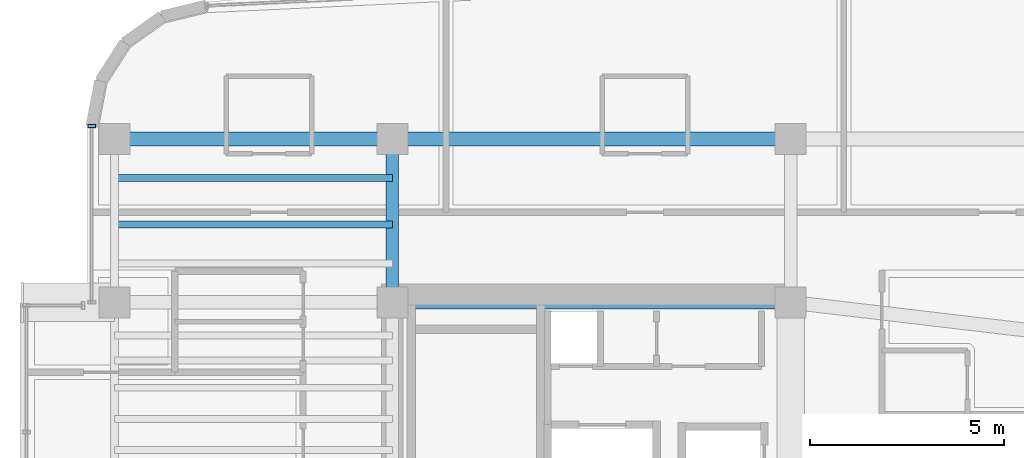
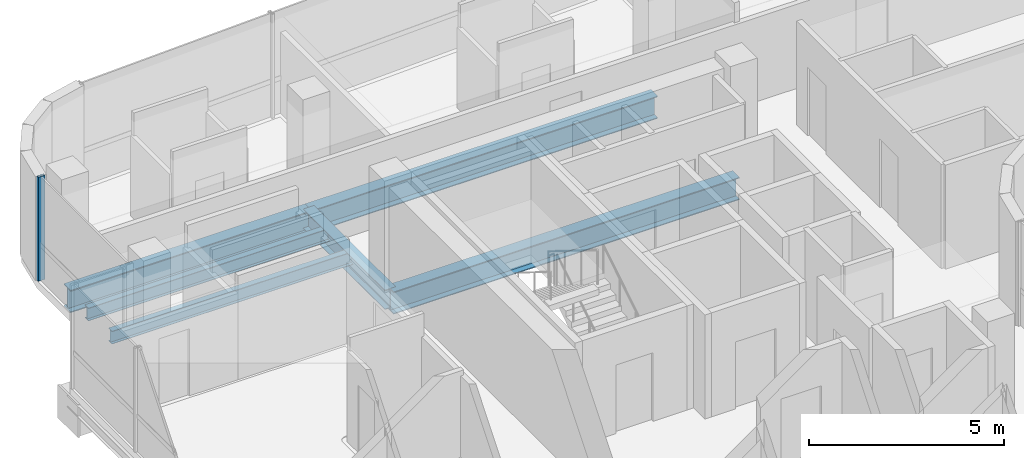
# One storey, part 7 of 20: 6 beams, 1 member, 1 element without a shape of its own.
"""IFC4 building model written with IfcOpenShell, lengths in metres."""

from ifc_helpers import new_model, si_unit, direction, frame, origin, origin_2d, place, context, subcontext, project, spatial, hollow_rectangle, i_section, extrude, source, transform, mapped, material, material_profile, profile_set, type_object, element, aggregate, save


model = new_model("IFC4")

# Units and contexts
model_context = context("Model", 3, precision=1e-05, world=origin(), true_north=direction((0.0, 1.0)))
body_context = subcontext(model_context, "Body", "Model", "MODEL_VIEW")
ifc_project = project(units=[si_unit("LENGTHUNIT", "METRE"), si_unit("AREAUNIT", "SQUARE_METRE"), si_unit("VOLUMEUNIT", "CUBIC_METRE"), si_unit("PLANEANGLEUNIT", "RADIAN"), si_unit("MASSUNIT", "GRAM", prefix="KILO")], contexts=[model_context])

# Site, building, storey
site_placement = place(None, origin())
site = spatial("IfcSite", under=ifc_project, at=site_placement, CompositionType="ELEMENT")
building_placement = place(site_placement, origin())
building = spatial("IfcBuilding", under=site, at=building_placement, Name="Valdorenza Pilgrim Sanctuary Tower", CompositionType="ELEMENT")
storey_placement = place(building_placement, frame((0.0, 0.0, 240.5)))
storey = spatial("IfcBuildingStorey", under=building, at=storey_placement, Name="L62", CompositionType="ELEMENT", Elevation=240.5)

# Beams
ifc_material_1 = material(Name="Steel ASTM A992 Grade 50", Category="steel")
ifc_material_profile_1 = material_profile(ifc_material_1, i_section(OverallWidth=0.323974609375, OverallDepth=0.611083984375, WebThickness=0.0126953125, FlangeThickness=0.01904296875, at=origin_2d()), Name="W24X104")
ifc_profile_set_1 = profile_set([ifc_material_profile_1], Name="Steel ASTM A992 Grade 50")
beam_type_1 = type_object("IfcBeamType", Name="STR-BM-GRD-W24B", PredefinedType="BEAM", material=ifc_profile_set_1)
shared_shape_1 = source(origin(), body_context, "Body", "SweptSolid", [
    extrude(i_section(OverallWidth=0.323974609375, OverallDepth=0.611083984375, WebThickness=0.0126953125, FlangeThickness=0.01904296875, at=origin_2d()), origin(), (0.0, 0.0, 1.0), 4.199951171875),
])
beam_1_placement = place(storey_placement, frame((-22.64990234375, 10.60009765625, -0.54541015625), z_axis=(0.0, 1.0, 0.0), x_axis=(-1.0, 0.0, 0.0)))
element("IfcBeam", 1, at=beam_1_placement, inside=storey, type_object=beam_type_1, Name="L62 Core Tie Girder CA-W-N1N2", PredefinedType="BEAM", context=body_context, shape_type="MappedRepresentation", body=[
    mapped(shared_shape_1, transform((0.0, 0.0, 0.0), x_axis=(1.0, 0.0, 0.0), y_axis=(0.0, 1.0, 0.0), z_axis=(0.0, 0.0, 1.0), scale=1.0)),
])
ifc_material_profile_2 = material_profile(ifc_material_1, i_section(OverallWidth=0.35595703125, OverallDepth=0.700927734375, WebThickness=0.016845703125, FlangeThickness=0.02734375, at=origin_2d()), Name="W27X161")
ifc_profile_set_2 = profile_set([ifc_material_profile_2], Name="Steel ASTM A992 Grade 50")
beam_type_2 = type_object("IfcBeamType", Name="STR-BM-GRD-W27", PredefinedType="BEAM", material=ifc_profile_set_2)
shared_shape_2 = source(origin(), body_context, "Body", "SweptSolid", [
    extrude(i_section(OverallWidth=0.35595703125, OverallDepth=0.700927734375, WebThickness=0.016845703125, FlangeThickness=0.02734375, at=origin_2d()), origin(), (0.0, 0.0, 1.0), 7.150146484375),
])
beam_2_placement = place(storey_placement, frame((-29.800048828125, 14.800048828125, -0.590576171875), z_axis=(1.0, 0.0, 0.0), x_axis=(0.0, 1.0, 0.0)))
element("IfcBeam", 2, at=beam_2_placement, inside=storey, type_object=beam_type_2, Name="L62 Floor Girder WA-XW-N2", PredefinedType="BEAM", context=body_context, shape_type="MappedRepresentation", body=[
    mapped(shared_shape_2, transform((0.0, 0.0, 0.0), x_axis=(1.0, 0.0, 0.0), y_axis=(0.0, 1.0, 0.0), z_axis=(0.0, 0.0, 1.0), scale=1.0)),
])
shared_shape_3 = source(origin(), body_context, "Body", "SweptSolid", [
    extrude(i_section(OverallWidth=0.35595703125, OverallDepth=0.700927734375, WebThickness=0.016845703125, FlangeThickness=0.02734375, at=origin_2d()), origin(), (0.0, 0.0, 1.0), 10.25),
])
for number, where, z_axis, x_axis, name in (
    (3, (-22.64990234375, 10.60009765625, -0.590576171875), (1.0, 0.0, 0.0), (0.0, 1.0, 0.0), "L62 Floor Girder CA-XC-N1"),
    (4, (-22.64990234375, 14.800048828125, -0.590576171875), (1.0, 0.0, 0.0), (0.0, 1.0, 0.0), "L62 Floor Girder CA-XC-N2"),
):
    element("IfcBeam", number, at=place(storey_placement, frame(where, z_axis=z_axis, x_axis=x_axis)), inside=storey, type_object=beam_type_2, Name=name, PredefinedType="BEAM", context=body_context, shape_type="MappedRepresentation", body=[
        mapped(shared_shape_3, transform((0.0, 0.0, 0.0), x_axis=(1.0, 0.0, 0.0), y_axis=(0.0, 1.0, 0.0), z_axis=(0.0, 0.0, 1.0), scale=1.0)),
    ])
ifc_material_profile_3 = material_profile(ifc_material_1, i_section(OverallWidth=0.177978515625, OverallDepth=0.406005859375, WebThickness=0.0078125, FlangeThickness=0.0126953125, at=origin_2d()), Name="W16X40")
ifc_profile_set_3 = profile_set([ifc_material_profile_3], Name="Steel ASTM A992 Grade 50")
beam_type_3 = type_object("IfcBeamType", Name="STR-BM-JST-W16", PredefinedType="JOIST", material=ifc_profile_set_3)
shared_shape_4 = source(origin(), body_context, "Body", "SweptSolid", [
    extrude(i_section(OverallWidth=0.177978515625, OverallDepth=0.406005859375, WebThickness=0.0078125, FlangeThickness=0.0126953125, at=origin_2d()), origin(), (0.0, 0.0, 1.0), 7.150146484375),
])
for number, where, z_axis, x_axis, name in (
    (5, (-29.800048828125, 12.60009765625, -0.443115234375), (1.0, 0.0, 0.0), (0.0, 1.0, 0.0), "L62 Composite Floor Joist JST-WA-25"),
    (6, (-29.800048828125, 13.800048828125, -0.443115234375), (1.0, 0.0, 0.0), (0.0, 1.0, 0.0), "L62 Composite Floor Joist JST-WA-26"),
):
    element("IfcBeam", number, at=place(storey_placement, frame(where, z_axis=z_axis, x_axis=x_axis)), inside=storey, type_object=beam_type_3, Name=name, PredefinedType="JOIST", context=body_context, shape_type="MappedRepresentation", body=[
        mapped(shared_shape_4, transform((0.0, 0.0, 0.0), x_axis=(1.0, 0.0, 0.0), y_axis=(0.0, 1.0, 0.0), z_axis=(0.0, 0.0, 1.0), scale=1.0)),
    ])

# Curtain wall, member
ifc_material_2 = material(Name="Curtain-wall IGU glazing", Category="glass")
curtain_wall_type = type_object("IfcCurtainWallType", Name="CW-SYS-02", PredefinedType="NOTDEFINED", material=ifc_material_2)
curtain_wall_placement = place(storey_placement, origin())
curtain_wall = element("IfcCurtainWall", 7, at=curtain_wall_placement, inside=storey, type_object=curtain_wall_type, Name="L62 Curtain Wall CW-L62-1-1S2", PredefinedType="NOTDEFINED")
ifc_material_3 = material(Name="Anodised aluminium AW-6060", Category="aluminium")
ifc_material_profile_4 = material_profile(ifc_material_3, hollow_rectangle(XDim=0.0849609375, YDim=0.199951171875, WallThickness=0.0048828125, at=origin_2d()), Name="ALU-M 200x85x5")
ifc_profile_set_4 = profile_set([ifc_material_profile_4], Name="Anodised aluminium AW-6060")
member_type = type_object("IfcMemberType", Name="CW-MUL-02", PredefinedType="MULLION", material=ifc_profile_set_4)
shared_shape_5 = source(origin(), body_context, "Body", "SweptSolid", [
    extrude(hollow_rectangle(XDim=0.0849609375, YDim=0.199951171875, WallThickness=0.0048828125, at=origin_2d()), origin(), (0.0, 0.0, 1.0), 3.260009765625),
])
member_placement = place(storey_placement, frame((-30.389892578125, 15.13671875, 0.0), z_axis=(0.0, 0.0, 1.0), x_axis=(0.0, 1.0, 0.0)))
member = element("IfcMember", 8, at=member_placement, type_object=member_type, Name="CW-L62-1-1S2 Mullion 2", PredefinedType="MULLION", context=body_context, shape_type="MappedRepresentation", body=[
    mapped(shared_shape_5, transform((0.0, 0.0, 0.0), x_axis=(1.0, 0.0, 0.0), y_axis=(0.0, 1.0, 0.0), z_axis=(0.0, 0.0, 1.0), scale=1.0)),
])
aggregate(curtain_wall, [member])

save(model, "model.ifc")
